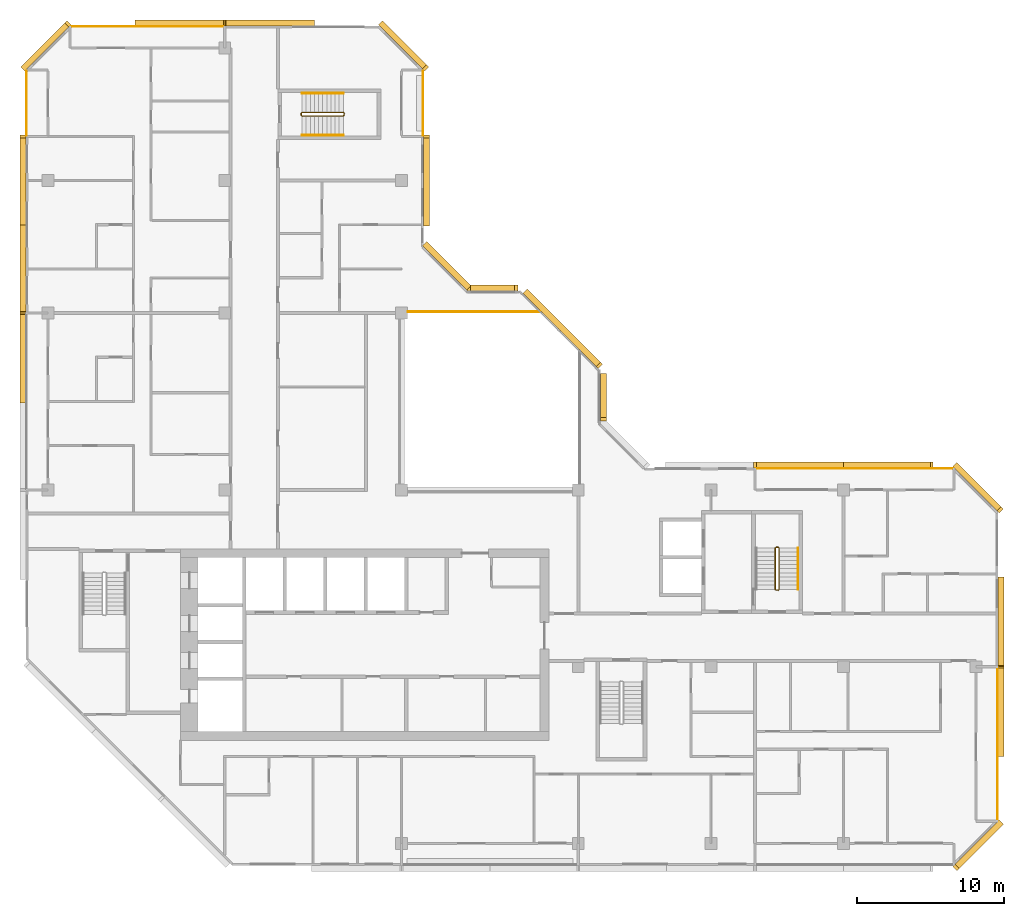
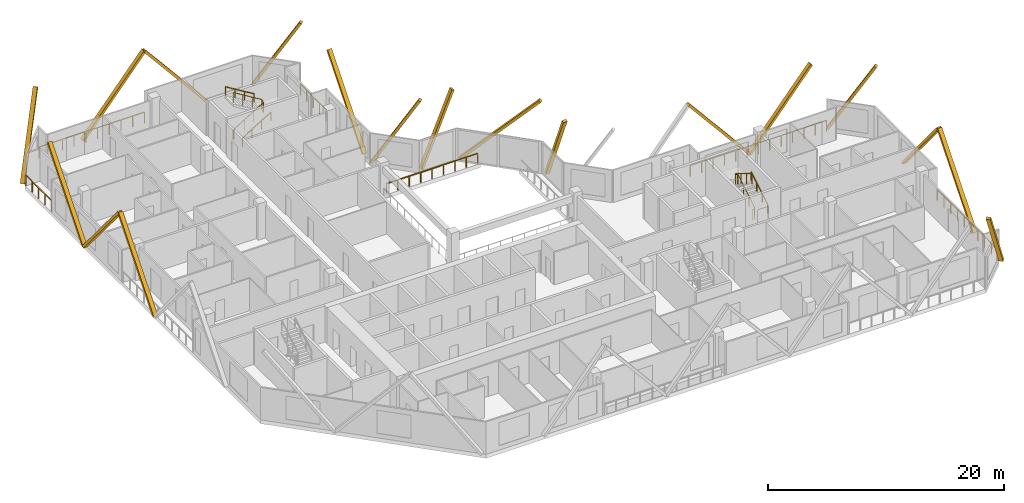
# One storey, part 13 of 13: 18 coverings, 11 railings.
"""IFC4 building model written with IfcOpenShell, lengths in metres."""

from ifc_helpers import new_model, si_unit, direction, frame, origin, origin_2d, place, context, subcontext, project, spatial, rectangle, extrude, material, material_profile, profile_set, type_object, element, save


model = new_model("IFC4")

# Units and contexts
model_context = context("Model", 3, precision=1e-05, world=origin(), true_north=direction((0.0, 1.0)))
body_context = subcontext(model_context, "Body", "Model", "MODEL_VIEW")
ifc_project = project(units=[si_unit("LENGTHUNIT", "METRE"), si_unit("AREAUNIT", "SQUARE_METRE"), si_unit("VOLUMEUNIT", "CUBIC_METRE"), si_unit("PLANEANGLEUNIT", "RADIAN"), si_unit("MASSUNIT", "GRAM", prefix="KILO")], contexts=[model_context])

# Site, building, storey
site_placement = place(None, origin())
site = spatial("IfcSite", under=ifc_project, at=site_placement, CompositionType="ELEMENT")
building_placement = place(site_placement, origin())
building = spatial("IfcBuilding", under=site, at=building_placement, Name="Chenar Terraces", CompositionType="ELEMENT")
storey_placement = place(building_placement, frame((0.0, 0.0, 303.39990234375)))
storey = spatial("IfcBuildingStorey", under=building, at=storey_placement, Name="L71", CompositionType="ELEMENT", Elevation=303.39990234375)

# Railings
ifc_material_1 = material(Name="Powder-coated steel", Category="steel")
railing_type_1 = type_object("IfcRailingType", Name="Guard 1100 steel rail with glass infill", PredefinedType="GUARDRAIL", material=ifc_material_1)
railing_1_placement = place(storey_placement, frame((24.449951171875, 36.10009765625, 0.0)))
element("IfcRailing", 1, at=railing_1_placement, inside=storey, type_object=railing_type_1, Name="Guard L71-2", PredefinedType="GUARDRAIL", context=body_context, shape_type="SweptSolid", body=[
    extrude(rectangle(XDim=0.06005859375, YDim=0.06005859375, at=origin_2d()), frame((0.0, 0.0, 1.070068359375), z_axis=(1.0, 0.0, 0.0), x_axis=(0.0, 1.0, 0.0)), (0.0, 0.0, 1.0), 8.949951171875),
    extrude(rectangle(XDim=0.050048828125, YDim=0.050048828125, at=origin_2d()), origin(), (0.0, 0.0, 1.0), 1.0400390625),
    extrude(rectangle(XDim=0.050048828125, YDim=0.050048828125, at=origin_2d()), frame((1.11865234375, 0.0, 0.0)), (0.0, 0.0, 1.0), 1.0400390625),
    extrude(rectangle(XDim=0.050048828125, YDim=0.050048828125, at=origin_2d()), frame((2.237548828125, 0.0, 0.0)), (0.0, 0.0, 1.0), 1.0400390625),
    extrude(rectangle(XDim=0.050048828125, YDim=0.050048828125, at=origin_2d()), frame((3.356201171875, 0.0, 0.0)), (0.0, 0.0, 1.0), 1.0400390625),
    extrude(rectangle(XDim=0.050048828125, YDim=0.050048828125, at=origin_2d()), frame((4.47509765625, 0.0, 0.0)), (0.0, 0.0, 1.0), 1.0400390625),
    extrude(rectangle(XDim=0.050048828125, YDim=0.050048828125, at=origin_2d()), frame((5.59375, 0.0, 0.0)), (0.0, 0.0, 1.0), 1.0400390625),
    extrude(rectangle(XDim=0.050048828125, YDim=0.050048828125, at=origin_2d()), frame((6.71240234375, 0.0, 0.0)), (0.0, 0.0, 1.0), 1.0400390625),
    extrude(rectangle(XDim=0.050048828125, YDim=0.050048828125, at=origin_2d()), frame((7.831298828125, 0.0, 0.0)), (0.0, 0.0, 1.0), 1.0400390625),
    extrude(rectangle(XDim=0.050048828125, YDim=0.050048828125, at=origin_2d()), frame((8.949951171875, 0.0, 0.0)), (0.0, 0.0, 1.0), 1.0400390625),
])
ifc_material_2 = material(Name="Stainless steel and glass", Category="steel")
railing_type_2 = type_object("IfcRailingType", Name="Loggia guard 1150", PredefinedType="GUARDRAIL", material=ifc_material_2)
railing_2_placement = place(storey_placement, frame((25.449951171875, 48.074951171875, 0.0)))
element("IfcRailing", 2, at=railing_2_placement, inside=storey, type_object=railing_type_2, Name="Loggia guard", PredefinedType="GUARDRAIL", context=body_context, shape_type="SweptSolid", body=[
    extrude(rectangle(XDim=0.048095703125, YDim=0.048095703125, at=origin_2d()), frame((0.0, 0.0, 1.1259765625), z_axis=(0.0, 1.0, 0.0), x_axis=(-1.0, 0.0, 0.0)), (0.0, 0.0, 1.0), 4.35009765625),
    extrude(rectangle(XDim=0.0419921875, YDim=0.0419921875, at=origin_2d()), origin(), (0.0, 0.0, 1.0), 1.101806640625),
    extrude(rectangle(XDim=0.0419921875, YDim=0.0419921875, at=origin_2d()), frame((0.0, 1.08740234375, 0.0)), (0.0, 0.0, 1.0), 1.101806640625),
    extrude(rectangle(XDim=0.0419921875, YDim=0.0419921875, at=origin_2d()), frame((0.0, 2.175048828125, 0.0)), (0.0, 0.0, 1.0), 1.101806640625),
    extrude(rectangle(XDim=0.0419921875, YDim=0.0419921875, at=origin_2d()), frame((0.0, 3.2626953125, 0.0)), (0.0, 0.0, 1.0), 1.101806640625),
    extrude(rectangle(XDim=0.0419921875, YDim=0.0419921875, at=origin_2d()), frame((0.0, 4.35009765625, 0.0)), (0.0, 0.0, 1.0), 1.101806640625),
])
railing_3_placement = place(storey_placement, frame((64.449951171875, 1.574951171875, 0.0)))
element("IfcRailing", 3, at=railing_3_placement, inside=storey, type_object=railing_type_2, Name="Loggia guard", PredefinedType="GUARDRAIL", context=body_context, shape_type="SweptSolid", body=[
    extrude(rectangle(XDim=0.048095703125, YDim=0.048095703125, at=origin_2d()), frame((0.0, 0.0, 1.1259765625), z_axis=(0.0, 1.0, 0.0), x_axis=(-1.0, 0.0, 0.0)), (0.0, 0.0, 1.0), 10.35009765625),
    extrude(rectangle(XDim=0.0419921875, YDim=0.0419921875, at=origin_2d()), origin(), (0.0, 0.0, 1.0), 1.101806640625),
    extrude(rectangle(XDim=0.0419921875, YDim=0.0419921875, at=origin_2d()), frame((0.0, 1.14990234375, 0.0)), (0.0, 0.0, 1.0), 1.101806640625),
    extrude(rectangle(XDim=0.0419921875, YDim=0.0419921875, at=origin_2d()), frame((0.0, 2.300048828125, 0.0)), (0.0, 0.0, 1.0), 1.101806640625),
    extrude(rectangle(XDim=0.0419921875, YDim=0.0419921875, at=origin_2d()), frame((0.0, 3.449951171875, 0.0)), (0.0, 0.0, 1.0), 1.101806640625),
    extrude(rectangle(XDim=0.0419921875, YDim=0.0419921875, at=origin_2d()), frame((0.0, 4.60009765625, 0.0)), (0.0, 0.0, 1.0), 1.101806640625),
    extrude(rectangle(XDim=0.0419921875, YDim=0.0419921875, at=origin_2d()), frame((0.0, 5.75, 0.0)), (0.0, 0.0, 1.0), 1.101806640625),
    extrude(rectangle(XDim=0.0419921875, YDim=0.0419921875, at=origin_2d()), frame((0.0, 6.900146484375, 0.0)), (0.0, 0.0, 1.0), 1.101806640625),
    extrude(rectangle(XDim=0.0419921875, YDim=0.0419921875, at=origin_2d()), frame((0.0, 8.050048828125, 0.0)), (0.0, 0.0, 1.0), 1.101806640625),
    extrude(rectangle(XDim=0.0419921875, YDim=0.0419921875, at=origin_2d()), frame((0.0, 9.2001953125, 0.0)), (0.0, 0.0, 1.0), 1.101806640625),
    extrude(rectangle(XDim=0.0419921875, YDim=0.0419921875, at=origin_2d()), frame((0.0, 10.35009765625, 0.0)), (0.0, 0.0, 1.0), 1.101806640625),
])
railing_4_placement = place(storey_placement, frame((61.425048828125, 25.449951171875, 0.0)))
element("IfcRailing", 4, at=railing_4_placement, inside=storey, type_object=railing_type_2, Name="Loggia guard", PredefinedType="GUARDRAIL", context=body_context, shape_type="SweptSolid", body=[
    extrude(rectangle(XDim=0.048095703125, YDim=0.048095703125, at=origin_2d()), frame((0.0, 0.0, 1.1259765625), z_axis=(-1.0, 0.0, 0.0), x_axis=(0.0, -1.0, 0.0)), (0.0, 0.0, 1.0), 13.35009765625),
    extrude(rectangle(XDim=0.0419921875, YDim=0.0419921875, at=origin_2d()), origin(), (0.0, 0.0, 1.0), 1.101806640625),
    extrude(rectangle(XDim=0.0419921875, YDim=0.0419921875, at=origin_2d()), frame((-1.112548828125, 0.0, 0.0)), (0.0, 0.0, 1.0), 1.101806640625),
    extrude(rectangle(XDim=0.0419921875, YDim=0.0419921875, at=origin_2d()), frame((-2.22509765625, 0.0, 0.0)), (0.0, 0.0, 1.0), 1.101806640625),
    extrude(rectangle(XDim=0.0419921875, YDim=0.0419921875, at=origin_2d()), frame((-3.33740234375, 0.0, 0.0)), (0.0, 0.0, 1.0), 1.101806640625),
    extrude(rectangle(XDim=0.0419921875, YDim=0.0419921875, at=origin_2d()), frame((-4.449951171875, 0.0, 0.0)), (0.0, 0.0, 1.0), 1.101806640625),
    extrude(rectangle(XDim=0.0419921875, YDim=0.0419921875, at=origin_2d()), frame((-5.5625, 0.0, 0.0)), (0.0, 0.0, 1.0), 1.101806640625),
    extrude(rectangle(XDim=0.0419921875, YDim=0.0419921875, at=origin_2d()), frame((-6.675048828125, 0.0, 0.0)), (0.0, 0.0, 1.0), 1.101806640625),
    extrude(rectangle(XDim=0.0419921875, YDim=0.0419921875, at=origin_2d()), frame((-7.78759765625, 0.0, 0.0)), (0.0, 0.0, 1.0), 1.101806640625),
    extrude(rectangle(XDim=0.0419921875, YDim=0.0419921875, at=origin_2d()), frame((-8.900146484375, 0.0, 0.0)), (0.0, 0.0, 1.0), 1.101806640625),
    extrude(rectangle(XDim=0.0419921875, YDim=0.0419921875, at=origin_2d()), frame((-10.0126953125, 0.0, 0.0)), (0.0, 0.0, 1.0), 1.101806640625),
    extrude(rectangle(XDim=0.0419921875, YDim=0.0419921875, at=origin_2d()), frame((-11.125, 0.0, 0.0)), (0.0, 0.0, 1.0), 1.101806640625),
    extrude(rectangle(XDim=0.0419921875, YDim=0.0419921875, at=origin_2d()), frame((-12.237548828125, 0.0, 0.0)), (0.0, 0.0, 1.0), 1.101806640625),
    extrude(rectangle(XDim=0.0419921875, YDim=0.0419921875, at=origin_2d()), frame((-13.35009765625, 0.0, 0.0)), (0.0, 0.0, 1.0), 1.101806640625),
])
railing_5_placement = place(storey_placement, frame((11.925048828125, 55.449951171875, 0.0)))
element("IfcRailing", 5, at=railing_5_placement, inside=storey, type_object=railing_type_2, Name="Loggia guard", PredefinedType="GUARDRAIL", context=body_context, shape_type="SweptSolid", body=[
    extrude(rectangle(XDim=0.048095703125, YDim=0.048095703125, at=origin_2d()), frame((0.0, 0.0, 1.1259765625), z_axis=(-1.0, 0.0, 0.0), x_axis=(0.0, -1.0, 0.0)), (0.0, 0.0, 1.0), 10.35009765625),
    extrude(rectangle(XDim=0.0419921875, YDim=0.0419921875, at=origin_2d()), origin(), (0.0, 0.0, 1.0), 1.101806640625),
    extrude(rectangle(XDim=0.0419921875, YDim=0.0419921875, at=origin_2d()), frame((-1.14990234375, 0.0, 0.0)), (0.0, 0.0, 1.0), 1.101806640625),
    extrude(rectangle(XDim=0.0419921875, YDim=0.0419921875, at=origin_2d()), frame((-2.300048828125, 0.0, 0.0)), (0.0, 0.0, 1.0), 1.101806640625),
    extrude(rectangle(XDim=0.0419921875, YDim=0.0419921875, at=origin_2d()), frame((-3.449951171875, 0.0, 0.0)), (0.0, 0.0, 1.0), 1.101806640625),
    extrude(rectangle(XDim=0.0419921875, YDim=0.0419921875, at=origin_2d()), frame((-4.60009765625, 0.0, 0.0)), (0.0, 0.0, 1.0), 1.101806640625),
    extrude(rectangle(XDim=0.0419921875, YDim=0.0419921875, at=origin_2d()), frame((-5.75, 0.0, 0.0)), (0.0, 0.0, 1.0), 1.101806640625),
    extrude(rectangle(XDim=0.0419921875, YDim=0.0419921875, at=origin_2d()), frame((-6.900146484375, 0.0, 0.0)), (0.0, 0.0, 1.0), 1.101806640625),
    extrude(rectangle(XDim=0.0419921875, YDim=0.0419921875, at=origin_2d()), frame((-8.050048828125, 0.0, 0.0)), (0.0, 0.0, 1.0), 1.101806640625),
    extrude(rectangle(XDim=0.0419921875, YDim=0.0419921875, at=origin_2d()), frame((-9.2001953125, 0.0, 0.0)), (0.0, 0.0, 1.0), 1.101806640625),
    extrude(rectangle(XDim=0.0419921875, YDim=0.0419921875, at=origin_2d()), frame((-10.35009765625, 0.0, 0.0)), (0.0, 0.0, 1.0), 1.101806640625),
])
railing_6_placement = place(storey_placement, frame((-1.449951171875, 52.425048828125, 0.0)))
element("IfcRailing", 6, at=railing_6_placement, inside=storey, type_object=railing_type_2, Name="Loggia guard", PredefinedType="GUARDRAIL", context=body_context, shape_type="SweptSolid", body=[
    extrude(rectangle(XDim=0.048095703125, YDim=0.048095703125, at=origin_2d()), frame((0.0, 0.0, 1.1259765625), z_axis=(0.0, -1.0, 0.0), x_axis=(1.0, 0.0, 0.0)), (0.0, 0.0, 1.0), 4.35009765625),
    extrude(rectangle(XDim=0.0419921875, YDim=0.0419921875, at=origin_2d()), origin(), (0.0, 0.0, 1.0), 1.101806640625),
    extrude(rectangle(XDim=0.0419921875, YDim=0.0419921875, at=origin_2d()), frame((0.0, -1.08740234375, 0.0)), (0.0, 0.0, 1.0), 1.101806640625),
    extrude(rectangle(XDim=0.0419921875, YDim=0.0419921875, at=origin_2d()), frame((0.0, -2.175048828125, 0.0)), (0.0, 0.0, 1.0), 1.101806640625),
    extrude(rectangle(XDim=0.0419921875, YDim=0.0419921875, at=origin_2d()), frame((0.0, -3.2626953125, 0.0)), (0.0, 0.0, 1.0), 1.101806640625),
    extrude(rectangle(XDim=0.0419921875, YDim=0.0419921875, at=origin_2d()), frame((0.0, -4.35009765625, 0.0)), (0.0, 0.0, 1.0), 1.101806640625),
])
ifc_material_3 = material(Name="Powder-coated steel", Category="steel")
railing_type_3 = type_object("IfcRailingType", Name="Stair guard 1100", PredefinedType="GUARDRAIL", material=ifc_material_3)
railing_7_placement = place(storey_placement, frame((49.375, 17.25, 3.75)))
element("IfcRailing", 7, at=railing_7_placement, inside=storey, type_object=railing_type_3, Name="L71 ST3 stair guard 1", PredefinedType="GUARDRAIL", context=body_context, shape_type="SweptSolid", body=[
    extrude(rectangle(XDim=0.048095703125, YDim=0.048095703125, at=origin_2d()), frame((0.0, 0.0, 1.076171875), z_axis=(0.0, 0.854202870247, -0.519939858505), x_axis=(-1.0, 0.0, 0.0)), (0.0, 0.0, 1.0), 3.278076171875),
    extrude(rectangle(XDim=0.048095703125, YDim=0.048095703125, at=origin_2d()), frame((0.0, 2.800048828125, -0.62841796875), z_axis=(0.270899902878, 0.270899902878, -0.923702595667), x_axis=(-0.707106781187, 0.707106781187, 0.0)), (0.0, 0.0, 1.0), 0.184814453125),
    extrude(rectangle(XDim=0.048095703125, YDim=0.048095703125, at=origin_2d()), frame((0.050048828125, 2.85009765625, -0.798828125), z_axis=(1.0, 0.0, 0.0), x_axis=(0.0, 1.0, 0.0)), (0.0, 0.0, 1.0), 0.14990234375),
    extrude(rectangle(XDim=0.048095703125, YDim=0.048095703125, at=origin_2d()), frame((0.199951171875, 2.85009765625, -0.798828125), z_axis=(0.707106781187, -0.707106781187, 0.0), x_axis=(0.707106781187, 0.707106781187, 0.0)), (0.0, 0.0, 1.0), 0.07080078125),
    extrude(rectangle(XDim=0.048095703125, YDim=0.048095703125, at=origin_2d()), frame((0.25, 2.800048828125, -0.798828125), z_axis=(0.0, -0.854202870247, -0.519939858505), x_axis=(1.0, 0.0, 0.0)), (0.0, 0.0, 1.0), 3.278076171875),
    extrude(rectangle(XDim=0.048095703125, YDim=0.048095703125, at=origin_2d()), frame((0.25, 0.0, -2.50341796875), z_axis=(-0.270899902878, -0.270899902878, -0.923702595667), x_axis=(0.707106781187, -0.707106781187, 0.0)), (0.0, 0.0, 1.0), 0.184814453125),
    extrude(rectangle(XDim=0.048095703125, YDim=0.048095703125, at=origin_2d()), frame((0.199951171875, -0.050048828125, -2.673828125), z_axis=(-1.0, 0.0, 0.0), x_axis=(0.0, -1.0, 0.0)), (0.0, 0.0, 1.0), 0.14990234375),
    extrude(rectangle(XDim=0.0419921875, YDim=0.0419921875, at=origin_2d()), origin(), (0.0, 0.0, 1.0), 1.052001953125),
    extrude(rectangle(XDim=0.0419921875, YDim=0.0419921875, at=origin_2d()), frame((0.0, 0.933349609375, -0.568115234375)), (0.0, 0.0, 1.0), 1.052001953125),
    extrude(rectangle(XDim=0.0419921875, YDim=0.0419921875, at=origin_2d()), frame((0.0, 1.86669921875, -1.13623046875)), (0.0, 0.0, 1.0), 1.052001953125),
    extrude(rectangle(XDim=0.0419921875, YDim=0.0419921875, at=origin_2d()), frame((0.0, 2.800048828125, -1.704345703125)), (0.0, 0.0, 1.0), 1.052001953125),
    extrude(rectangle(XDim=0.0419921875, YDim=0.0419921875, at=origin_2d()), frame((0.050048828125, 2.85009765625, -1.875)), (0.0, 0.0, 1.0), 1.052001953125),
    extrude(rectangle(XDim=0.0419921875, YDim=0.0419921875, at=origin_2d()), frame((0.199951171875, 2.85009765625, -1.875)), (0.0, 0.0, 1.0), 1.052001953125),
    extrude(rectangle(XDim=0.0419921875, YDim=0.0419921875, at=origin_2d()), frame((0.25, 2.800048828125, -1.875)), (0.0, 0.0, 1.0), 1.052001953125),
    extrude(rectangle(XDim=0.0419921875, YDim=0.0419921875, at=origin_2d()), frame((0.25, 1.86669921875, -2.443115234375)), (0.0, 0.0, 1.0), 1.052001953125),
    extrude(rectangle(XDim=0.0419921875, YDim=0.0419921875, at=origin_2d()), frame((0.25, 0.933349609375, -3.01123046875)), (0.0, 0.0, 1.0), 1.052001953125),
    extrude(rectangle(XDim=0.0419921875, YDim=0.0419921875, at=origin_2d()), frame((0.25, 0.0, -3.579345703125)), (0.0, 0.0, 1.0), 1.052001953125),
    extrude(rectangle(XDim=0.0419921875, YDim=0.0419921875, at=origin_2d()), frame((0.199951171875, -0.050048828125, -3.75)), (0.0, 0.0, 1.0), 1.052001953125),
    extrude(rectangle(XDim=0.0419921875, YDim=0.0419921875, at=origin_2d()), frame((0.050048828125, -0.050048828125, -3.75)), (0.0, 0.0, 1.0), 1.052001953125),
])
railing_8_placement = place(storey_placement, frame((17.25, 49.625, 3.75)))
element("IfcRailing", 8, at=railing_8_placement, inside=storey, type_object=railing_type_3, Name="L71 ST4 stair guard 1", PredefinedType="GUARDRAIL", context=body_context, shape_type="SweptSolid", body=[
    extrude(rectangle(XDim=0.048095703125, YDim=0.048095703125, at=origin_2d()), frame((0.0, 0.0, 1.076171875), z_axis=(0.854202870247, 0.0, -0.519939858505), x_axis=(0.0, 1.0, 0.0)), (0.0, 0.0, 1.0), 3.278076171875),
    extrude(rectangle(XDim=0.048095703125, YDim=0.048095703125, at=origin_2d()), frame((2.800048828125, 0.0, -0.62841796875), z_axis=(0.270899902878, -0.270899902878, -0.923702595667), x_axis=(0.707106781187, 0.707106781187, 0.0)), (0.0, 0.0, 1.0), 0.184814453125),
    extrude(rectangle(XDim=0.048095703125, YDim=0.048095703125, at=origin_2d()), frame((2.85009765625, -0.050048828125, -0.798828125), z_axis=(0.0, -1.0, 0.0), x_axis=(1.0, 0.0, 0.0)), (0.0, 0.0, 1.0), 0.14990234375),
    extrude(rectangle(XDim=0.048095703125, YDim=0.048095703125, at=origin_2d()), frame((2.85009765625, -0.199951171875, -0.798828125), z_axis=(-0.707106781187, -0.707106781187, 0.0), x_axis=(0.707106781187, -0.707106781187, 0.0)), (0.0, 0.0, 1.0), 0.07080078125),
    extrude(rectangle(XDim=0.048095703125, YDim=0.048095703125, at=origin_2d()), frame((2.800048828125, -0.25, -0.798828125), z_axis=(-0.854202870247, 0.0, -0.519939858505), x_axis=(0.0, -1.0, 0.0)), (0.0, 0.0, 1.0), 3.278076171875),
    extrude(rectangle(XDim=0.048095703125, YDim=0.048095703125, at=origin_2d()), frame((0.0, -0.25, -2.50341796875), z_axis=(-0.270899902878, 0.270899902878, -0.923702595667), x_axis=(-0.707106781187, -0.707106781187, 0.0)), (0.0, 0.0, 1.0), 0.184814453125),
    extrude(rectangle(XDim=0.048095703125, YDim=0.048095703125, at=origin_2d()), frame((-0.050048828125, -0.199951171875, -2.673828125), z_axis=(0.0, 1.0, 0.0), x_axis=(-1.0, 0.0, 0.0)), (0.0, 0.0, 1.0), 0.14990234375),
    extrude(rectangle(XDim=0.0419921875, YDim=0.0419921875, at=origin_2d()), origin(), (0.0, 0.0, 1.0), 1.052001953125),
    extrude(rectangle(XDim=0.0419921875, YDim=0.0419921875, at=origin_2d()), frame((0.933349609375, 0.0, -0.568115234375)), (0.0, 0.0, 1.0), 1.052001953125),
    extrude(rectangle(XDim=0.0419921875, YDim=0.0419921875, at=origin_2d()), frame((1.86669921875, 0.0, -1.13623046875)), (0.0, 0.0, 1.0), 1.052001953125),
    extrude(rectangle(XDim=0.0419921875, YDim=0.0419921875, at=origin_2d()), frame((2.800048828125, 0.0, -1.704345703125)), (0.0, 0.0, 1.0), 1.052001953125),
    extrude(rectangle(XDim=0.0419921875, YDim=0.0419921875, at=origin_2d()), frame((2.85009765625, -0.050048828125, -1.875)), (0.0, 0.0, 1.0), 1.052001953125),
    extrude(rectangle(XDim=0.0419921875, YDim=0.0419921875, at=origin_2d()), frame((2.85009765625, -0.199951171875, -1.875)), (0.0, 0.0, 1.0), 1.052001953125),
    extrude(rectangle(XDim=0.0419921875, YDim=0.0419921875, at=origin_2d()), frame((2.800048828125, -0.25, -1.875)), (0.0, 0.0, 1.0), 1.052001953125),
    extrude(rectangle(XDim=0.0419921875, YDim=0.0419921875, at=origin_2d()), frame((1.86669921875, -0.25, -2.443115234375)), (0.0, 0.0, 1.0), 1.052001953125),
    extrude(rectangle(XDim=0.0419921875, YDim=0.0419921875, at=origin_2d()), frame((0.933349609375, -0.25, -3.01123046875)), (0.0, 0.0, 1.0), 1.052001953125),
    extrude(rectangle(XDim=0.0419921875, YDim=0.0419921875, at=origin_2d()), frame((0.0, -0.25, -3.579345703125)), (0.0, 0.0, 1.0), 1.052001953125),
    extrude(rectangle(XDim=0.0419921875, YDim=0.0419921875, at=origin_2d()), frame((-0.050048828125, -0.199951171875, -3.75)), (0.0, 0.0, 1.0), 1.052001953125),
    extrude(rectangle(XDim=0.0419921875, YDim=0.0419921875, at=origin_2d()), frame((-0.050048828125, -0.050048828125, -3.75)), (0.0, 0.0, 1.0), 1.052001953125),
])
ifc_material_4 = material(Name="Powder-coated steel", Category="steel")
railing_type_4 = type_object("IfcRailingType", Name="Stair handrail 900", PredefinedType="HANDRAIL", material=ifc_material_4)
railing_9_placement = place(storey_placement, frame((50.925048828125, 17.25, 0.170654296875)))
element("IfcRailing", 9, at=railing_9_placement, inside=storey, type_object=railing_type_4, Name="L71 ST3 stair handrail 1", PredefinedType="HANDRAIL", context=body_context, shape_type="SweptSolid", body=[
    extrude(rectangle(XDim=0.048095703125, YDim=0.048095703125, at=origin_2d()), frame((0.0, 0.0, 0.8759765625), z_axis=(0.0, 0.854202870247, 0.519939858505), x_axis=(-1.0, 0.0, 0.0)), (0.0, 0.0, 1.0), 3.278076171875),
    extrude(rectangle(XDim=0.0419921875, YDim=0.0419921875, at=origin_2d()), origin(), (0.0, 0.0, 1.0), 0.851806640625),
    extrude(rectangle(XDim=0.0419921875, YDim=0.0419921875, at=origin_2d()), frame((0.0, 0.933349609375, 0.568115234375)), (0.0, 0.0, 1.0), 0.851806640625),
    extrude(rectangle(XDim=0.0419921875, YDim=0.0419921875, at=origin_2d()), frame((0.0, 1.86669921875, 1.13623046875)), (0.0, 0.0, 1.0), 0.851806640625),
    extrude(rectangle(XDim=0.0419921875, YDim=0.0419921875, at=origin_2d()), frame((0.0, 2.800048828125, 1.704345703125)), (0.0, 0.0, 1.0), 0.851806640625),
])
railing_10_placement = place(storey_placement, frame((17.25, 48.074951171875, 0.170654296875)))
element("IfcRailing", 10, at=railing_10_placement, inside=storey, type_object=railing_type_4, Name="L71 ST4 stair handrail 1", PredefinedType="HANDRAIL", context=body_context, shape_type="SweptSolid", body=[
    extrude(rectangle(XDim=0.048095703125, YDim=0.048095703125, at=origin_2d()), frame((0.0, 0.0, 0.8759765625), z_axis=(0.854202870247, 0.0, 0.519939858505), x_axis=(0.0, 1.0, 0.0)), (0.0, 0.0, 1.0), 3.278076171875),
    extrude(rectangle(XDim=0.0419921875, YDim=0.0419921875, at=origin_2d()), origin(), (0.0, 0.0, 1.0), 0.851806640625),
    extrude(rectangle(XDim=0.0419921875, YDim=0.0419921875, at=origin_2d()), frame((0.933349609375, 0.0, 0.568115234375)), (0.0, 0.0, 1.0), 0.851806640625),
    extrude(rectangle(XDim=0.0419921875, YDim=0.0419921875, at=origin_2d()), frame((1.86669921875, 0.0, 1.13623046875)), (0.0, 0.0, 1.0), 0.851806640625),
    extrude(rectangle(XDim=0.0419921875, YDim=0.0419921875, at=origin_2d()), frame((2.800048828125, 0.0, 1.704345703125)), (0.0, 0.0, 1.0), 0.851806640625),
])
railing_11_placement = place(storey_placement, frame((20.050048828125, 50.925048828125, 2.045654296875)))
element("IfcRailing", 11, at=railing_11_placement, inside=storey, type_object=railing_type_4, Name="L71 ST4 stair handrail 2", PredefinedType="HANDRAIL", context=body_context, shape_type="SweptSolid", body=[
    extrude(rectangle(XDim=0.048095703125, YDim=0.048095703125, at=origin_2d()), frame((0.0, 0.0, 0.8759765625), z_axis=(-0.854202870247, 0.0, 0.519939858505), x_axis=(0.0, -1.0, 0.0)), (0.0, 0.0, 1.0), 3.278076171875),
    extrude(rectangle(XDim=0.0419921875, YDim=0.0419921875, at=origin_2d()), origin(), (0.0, 0.0, 1.0), 0.851806640625),
    extrude(rectangle(XDim=0.0419921875, YDim=0.0419921875, at=origin_2d()), frame((-0.933349609375, 0.0, 0.568115234375)), (0.0, 0.0, 1.0), 0.851806640625),
    extrude(rectangle(XDim=0.0419921875, YDim=0.0419921875, at=origin_2d()), frame((-1.86669921875, 0.0, 1.13623046875)), (0.0, 0.0, 1.0), 0.851806640625),
    extrude(rectangle(XDim=0.0419921875, YDim=0.0419921875, at=origin_2d()), frame((-2.800048828125, 0.0, 1.704345703125)), (0.0, 0.0, 1.0), 0.851806640625),
])

# Coverings
ifc_material_5 = material(Name="Terracotta", Category="masonry")
ifc_material_profile = material_profile(ifc_material_5, rectangle(XDim=0.39990234375, YDim=0.25, at=origin_2d()), Name="Terracotta baguette 400 x 250")
ifc_profile_set = profile_set([ifc_material_profile], Name="Terracotta")
covering_type = type_object("IfcCoveringType", Name="Terracotta baguette 400 x 250", PredefinedType="CLADDING", material=ifc_profile_set)
for number, where, z_axis, x_axis, name in (
    (12, (60.0, 25.699951171875, 7.35009765625), (-0.640186961885, 0.0, -0.768219144407), (0.0, -1.0, 0.0), "Terracotta baguette"),
    (13, (54.0, 25.699951171875, 0.150146484375), (-0.640186961885, 0.0, 0.768219144407), (0.0, -1.0, 0.0), "Terracotta baguette"),
):
    element("IfcCovering", number, at=place(storey_placement, frame(where, z_axis=z_axis, x_axis=x_axis)), inside=storey, type_object=covering_type, Name=name, PredefinedType="CLADDING", context=body_context, shape_type="SweptSolid", body=[
        extrude(rectangle(XDim=0.39990234375, YDim=0.25, at=origin_2d()), origin(), (0.0, 0.0, 1.0), 9.372314453125),
    ])
covering_1_placement = place(storey_placement, frame((37.699951171875, 28.800048828125, 7.35009765625), z_axis=(0.0, 0.384617607118, -0.923075997031), x_axis=(-1.0, 0.0, 0.0)))
element("IfcCovering", 14, at=covering_1_placement, inside=storey, type_object=covering_type, Name="Terracotta baguette", PredefinedType="CLADDING", context=body_context, shape_type="SweptSolid", body=[
    extrude(rectangle(XDim=0.39990234375, YDim=0.25, at=origin_2d()), origin(), (0.0, 0.0, 1.0), 7.800048828125),
])
covering_2_placement = place(storey_placement, frame((37.42919921875, 32.45361328125, 7.35009765625), z_axis=(-0.494222393737, 0.4942466441, -0.715167449151), x_axis=(-0.707124128605, -0.707089433343, 0.0)))
element("IfcCovering", 15, at=covering_2_placement, inside=storey, type_object=covering_type, Name="Terracotta baguette", PredefinedType="CLADDING", context=body_context, shape_type="SweptSolid", body=[
    extrude(rectangle(XDim=0.39990234375, YDim=0.25, at=origin_2d()), origin(), (0.0, 0.0, 1.0), 10.0673828125),
])
covering_3_placement = place(storey_placement, frame((31.800048828125, 37.699951171875, 7.35009765625), z_axis=(-0.384617607118, 0.0, -0.923075997031), x_axis=(0.0, -1.0, 0.0)))
element("IfcCovering", 16, at=covering_3_placement, inside=storey, type_object=covering_type, Name="Terracotta baguette", PredefinedType="CLADDING", context=body_context, shape_type="SweptSolid", body=[
    extrude(rectangle(XDim=0.39990234375, YDim=0.25, at=origin_2d()), origin(), (0.0, 0.0, 1.0), 7.800048828125),
])
covering_4_placement = place(storey_placement, frame((28.641357421875, 37.641357421875, 7.35009765625), z_axis=(-0.358980886355, 0.358980886355, -0.861548284464), x_axis=(-0.707106781187, -0.707106781187, 0.0)))
element("IfcCovering", 17, at=covering_4_placement, inside=storey, type_object=covering_type, Name="Terracotta baguette", PredefinedType="CLADDING", context=body_context, shape_type="SweptSolid", body=[
    extrude(rectangle(XDim=0.39990234375, YDim=0.25, at=origin_2d()), origin(), (0.0, 0.0, 1.0), 8.35693359375),
])
covering_5_placement = place(storey_placement, frame((25.699951171875, 42.0, 0.150146484375), z_axis=(0.0, 0.640186961885, 0.768219144407), x_axis=(-1.0, 0.0, 0.0)))
element("IfcCovering", 18, at=covering_5_placement, inside=storey, type_object=covering_type, Name="Terracotta baguette", PredefinedType="CLADDING", context=body_context, shape_type="SweptSolid", body=[
    extrude(rectangle(XDim=0.39990234375, YDim=0.25, at=origin_2d()), origin(), (0.0, 0.0, 1.0), 9.372314453125),
])
covering_6_placement = place(storey_placement, frame((25.641357421875, 52.641357421875, 7.35009765625), z_axis=(-0.358980886355, 0.358980886355, -0.861548284464), x_axis=(-0.707106781187, -0.707106781187, 0.0)))
element("IfcCovering", 19, at=covering_6_placement, inside=storey, type_object=covering_type, Name="Terracotta baguette", PredefinedType="CLADDING", context=body_context, shape_type="SweptSolid", body=[
    extrude(rectangle(XDim=0.39990234375, YDim=0.25, at=origin_2d()), origin(), (0.0, 0.0, 1.0), 8.35693359375),
])
for number, where, z_axis, x_axis, name in (
    (20, (18.0, 55.699951171875, 0.150146484375), (-0.640186961885, 0.0, 0.768219144407), (0.0, -1.0, 0.0), "Terracotta baguette"),
    (21, (12.0, 55.699951171875, 7.35009765625), (-0.640186961885, 0.0, -0.768219144407), (0.0, -1.0, 0.0), "Terracotta baguette"),
):
    element("IfcCovering", number, at=place(storey_placement, frame(where, z_axis=z_axis, x_axis=x_axis)), inside=storey, type_object=covering_type, Name=name, PredefinedType="CLADDING", context=body_context, shape_type="SweptSolid", body=[
        extrude(rectangle(XDim=0.39990234375, YDim=0.25, at=origin_2d()), origin(), (0.0, 0.0, 1.0), 9.372314453125),
    ])
covering_7_placement = place(storey_placement, frame((1.358642578125, 55.641357421875, 7.35009765625), z_axis=(-0.358980886355, -0.358980886355, -0.861548284464), x_axis=(0.707106781187, -0.707106781187, 0.0)))
element("IfcCovering", 22, at=covering_7_placement, inside=storey, type_object=covering_type, Name="Terracotta baguette", PredefinedType="CLADDING", context=body_context, shape_type="SweptSolid", body=[
    extrude(rectangle(XDim=0.39990234375, YDim=0.25, at=origin_2d()), origin(), (0.0, 0.0, 1.0), 8.35693359375),
])
for number, where, z_axis, x_axis, name in (
    (23, (-1.699951171875, 48.0, 7.35009765625), (0.0, -0.640186961885, -0.768219144407), (1.0, 0.0, 0.0), "Terracotta baguette"),
    (24, (-1.699951171875, 42.0, 0.150146484375), (0.0, -0.640186961885, 0.768219144407), (1.0, 0.0, 0.0), "Terracotta baguette"),
    (25, (-1.699951171875, 36.0, 7.35009765625), (0.0, -0.640186961885, -0.768219144407), (1.0, 0.0, 0.0), "Terracotta baguette"),
):
    element("IfcCovering", number, at=place(storey_placement, frame(where, z_axis=z_axis, x_axis=x_axis)), inside=storey, type_object=covering_type, Name=name, PredefinedType="CLADDING", context=body_context, shape_type="SweptSolid", body=[
        extrude(rectangle(XDim=0.39990234375, YDim=0.25, at=origin_2d()), origin(), (0.0, 0.0, 1.0), 9.372314453125),
    ])
covering_8_placement = place(storey_placement, frame((61.641357421875, -1.641357421875, 7.35009765625), z_axis=(0.358980886355, 0.358980886355, -0.861548284464), x_axis=(-0.707106781187, 0.707106781187, 0.0)))
element("IfcCovering", 26, at=covering_8_placement, inside=storey, type_object=covering_type, Name="Terracotta baguette", PredefinedType="CLADDING", context=body_context, shape_type="SweptSolid", body=[
    extrude(rectangle(XDim=0.39990234375, YDim=0.25, at=origin_2d()), origin(), (0.0, 0.0, 1.0), 8.35693359375),
])
for number, where, z_axis, x_axis, name in (
    (27, (64.699951171875, 6.0, 0.150146484375), (0.0, 0.640186961885, 0.768219144407), (-1.0, 0.0, 0.0), "Terracotta baguette"),
    (28, (64.699951171875, 12.0, 7.35009765625), (0.0, 0.640186961885, -0.768219144407), (-1.0, 0.0, 0.0), "Terracotta baguette"),
):
    element("IfcCovering", number, at=place(storey_placement, frame(where, z_axis=z_axis, x_axis=x_axis)), inside=storey, type_object=covering_type, Name=name, PredefinedType="CLADDING", context=body_context, shape_type="SweptSolid", body=[
        extrude(rectangle(XDim=0.39990234375, YDim=0.25, at=origin_2d()), origin(), (0.0, 0.0, 1.0), 9.372314453125),
    ])
covering_9_placement = place(storey_placement, frame((64.641357421875, 22.641357421875, 7.35009765625), z_axis=(-0.358980886355, 0.358980886355, -0.861548284464), x_axis=(-0.707106781187, -0.707106781187, 0.0)))
element("IfcCovering", 29, at=covering_9_placement, inside=storey, type_object=covering_type, Name="Terracotta baguette", PredefinedType="CLADDING", context=body_context, shape_type="SweptSolid", body=[
    extrude(rectangle(XDim=0.39990234375, YDim=0.25, at=origin_2d()), origin(), (0.0, 0.0, 1.0), 8.35693359375),
])

save(model, "model.ifc")
